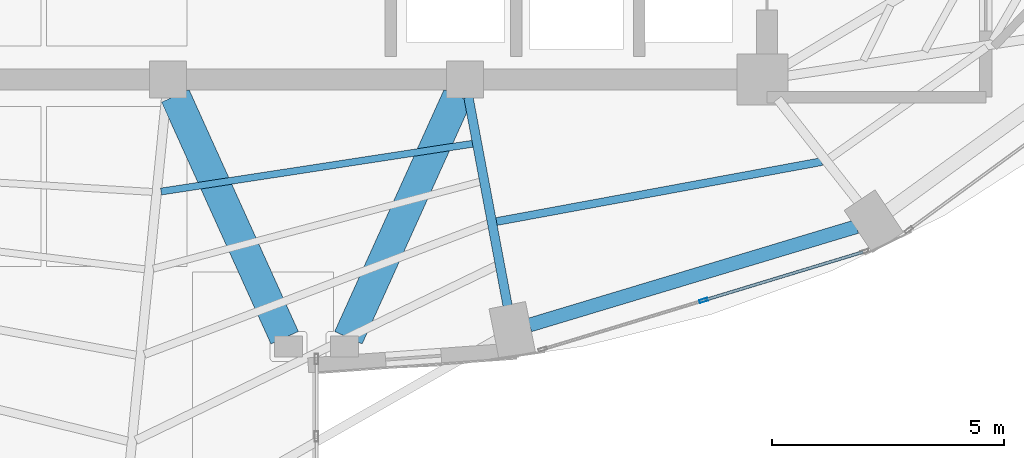
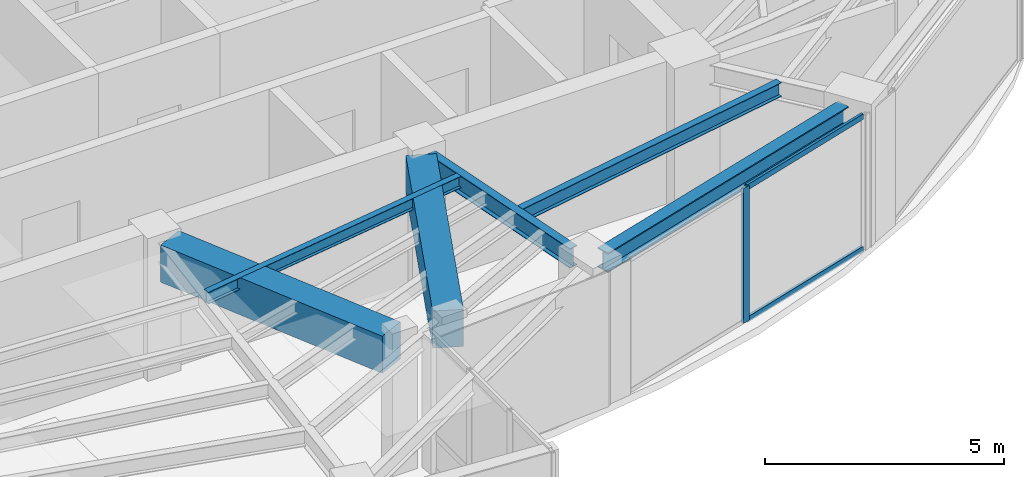
# One storey, part 7 of 22: 6 beams, 3 members, 1 element without a shape of its own.
"""IFC4 building model written with IfcOpenShell, lengths in metres."""

from ifc_helpers import new_model, si_unit, direction, frame, origin, origin_2d, place, context, subcontext, project, spatial, rectangle, hollow_rectangle, i_section, extrude, material, layer, layer_set, material_profile, profile_set, type_object, element, aggregate, save


model = new_model("IFC4")

# Units and contexts
model_context = context("Model", 3, precision=1e-05, world=origin(), true_north=direction((0.0, 1.0)))
body_context = subcontext(model_context, "Body", "Model", "MODEL_VIEW")
ifc_project = project(units=[si_unit("LENGTHUNIT", "METRE"), si_unit("AREAUNIT", "SQUARE_METRE"), si_unit("VOLUMEUNIT", "CUBIC_METRE"), si_unit("PLANEANGLEUNIT", "RADIAN"), si_unit("MASSUNIT", "GRAM", prefix="KILO")], contexts=[model_context])

# Site, building, storey
site_placement = place(None, origin())
site = spatial("IfcSite", under=ifc_project, at=site_placement, CompositionType="ELEMENT")
building_placement = place(site_placement, origin())
building = spatial("IfcBuilding", under=site, at=building_placement, Name="Lazwardi Medical Tower", CompositionType="ELEMENT")
storey_placement = place(building_placement, frame((0.0, 0.0, 251.3759765625)))
storey = spatial("IfcBuildingStorey", under=building, at=storey_placement, Name="L65", CompositionType="ELEMENT", Elevation=251.3759765625)

# Beams
ifc_material_1 = material(Name="Concrete C60/75", Category="concrete")
ifc_material_profile_1 = material_profile(ifc_material_1, rectangle(XDim=0.64990234375, YDim=0.949951171875, at=origin_2d()), Name="RC 650x950")
ifc_profile_set_1 = profile_set([ifc_material_profile_1], Name="Concrete C60/75")
beam_type_1 = type_object("IfcBeamType", Name="BM-CB-RC2", PredefinedType="LINTEL", material=ifc_profile_set_1)
for number, where, z_axis, x_axis, name in (
    (1, (32.95849609375, 20.04931640625, 2.97314453125), (0.412019279944, -0.911175127489, 0.0), (0.911175127489, 0.412019279944, 0.0), "Core coupling lintel CB-02 PL3 L65"),
    (2, (39.04150390625, 20.04931640625, 2.97314453125), (-0.412019279944, -0.911175127489, 0.0), (0.911175127489, -0.412019279944, 0.0), "Core coupling lintel CB-02 PL4 L65"),
):
    element("IfcBeam", number, at=place(storey_placement, frame(where, z_axis=z_axis, x_axis=x_axis)), inside=storey, type_object=beam_type_1, Name=name, PredefinedType="LINTEL", context=body_context, shape_type="SweptSolid", body=[
        extrude(rectangle(XDim=0.64990234375, YDim=0.949951171875, at=origin_2d()), origin(), (0.0, 0.0, 1.0), 5.7158203125),
    ])
ifc_material_2 = material(Name="Steel S355", Category="steel")
ifc_material_profile_2 = material_profile(ifc_material_2, i_section(OverallWidth=0.300048828125, OverallDepth=0.5, WebThickness=0.014404296875, FlangeThickness=0.028076171875, at=origin_2d()), Name="HEB 500")
ifc_profile_set_2 = profile_set([ifc_material_profile_2], Name="Steel S355")
beam_type_2 = type_object("IfcBeamType", Name="BM-RB-Z4", PredefinedType="BEAM", material=ifc_profile_set_2)
beam_1_placement = place(storey_placement, frame((40.58740234375, 15.114013671875, 3.197998046875), z_axis=(0.957544311906, 0.288286126506, 0.0), x_axis=(-0.288286126506, 0.957544311906, 0.0)))
element("IfcBeam", 3, at=beam_1_placement, inside=storey, type_object=beam_type_2, Name="Ring beam RB-05 B01 L65", PredefinedType="BEAM", context=body_context, shape_type="SweptSolid", body=[
    extrude(i_section(OverallWidth=0.300048828125, OverallDepth=0.5, WebThickness=0.014404296875, FlangeThickness=0.028076171875, at=origin_2d()), origin(), (0.0, 0.0, 1.0), 7.3515625),
])
ifc_material_profile_3 = material_profile(ifc_material_2, i_section(OverallWidth=0.199951171875, OverallDepth=0.5, WebThickness=0.01025390625, FlangeThickness=0.01611328125, at=origin_2d()), Name="IPE 500")
ifc_profile_set_3 = profile_set([ifc_material_profile_3], Name="Steel S355")
beam_type_3 = type_object("IfcBeamType", Name="BM-RG-W3", PredefinedType="BEAM", material=ifc_profile_set_3)
beam_2_placement = place(storey_placement, frame((40.115234375, 15.527587890625, 3.197998046875), z_axis=(-0.184633463507, 0.982807450192, 0.0), x_axis=(-0.982807450192, -0.184633463507, 0.0)))
element("IfcBeam", 4, at=beam_2_placement, inside=storey, type_object=beam_type_3, Name="Radial girder RG-04 R01 L65", PredefinedType="BEAM", context=body_context, shape_type="SweptSolid", body=[
    extrude(i_section(OverallWidth=0.199951171875, OverallDepth=0.5, WebThickness=0.01025390625, FlangeThickness=0.01611328125, at=origin_2d()), origin(), (0.0, 0.0, 1.0), 4.572509765625),
])
ifc_material_profile_4 = material_profile(ifc_material_2, i_section(OverallWidth=0.169921875, OverallDepth=0.360107421875, WebThickness=0.008056640625, FlangeThickness=0.0126953125, at=origin_2d()), Name="IPE 360")
ifc_profile_set_4 = profile_set([ifc_material_profile_4], Name="Steel S355")
beam_type_4 = type_object("IfcBeamType", Name="BM-SJ-02", PredefinedType="JOIST", material=ifc_profile_set_4)
beam_3_placement = place(storey_placement, frame((39.87109375, 17.34228515625, 3.26806640625), z_axis=(0.983427965623, 0.181299300688, 0.0), x_axis=(-0.181299300688, 0.983427965623, 0.0)))
element("IfcBeam", 5, at=beam_3_placement, inside=storey, type_object=beam_type_4, Name="Secondary joist SJ-02 R2 B01 L65", PredefinedType="JOIST", context=body_context, shape_type="SweptSolid", body=[
    extrude(i_section(OverallWidth=0.169921875, OverallDepth=0.360107421875, WebThickness=0.008056640625, FlangeThickness=0.0126953125, at=origin_2d()), origin(), (0.0, 0.0, 1.0), 7.127685546875),
])
ifc_material_profile_5 = material_profile(ifc_material_2, i_section(OverallWidth=0.14990234375, OverallDepth=0.300048828125, WebThickness=0.007080078125, FlangeThickness=0.0107421875, at=origin_2d()), Name="IPE 300")
ifc_profile_set_5 = profile_set([ifc_material_profile_5], Name="Steel S355")
beam_type_5 = type_object("IfcBeamType", Name="BM-SJ-03", PredefinedType="JOIST", material=ifc_profile_set_5)
beam_4_placement = place(storey_placement, frame((32.652587890625, 17.989013671875, 3.298095703125), z_axis=(0.988433562862, 0.151654514629, 0.0), x_axis=(-0.151654514629, 0.988433562862, 0.0)))
element("IfcBeam", 6, at=beam_4_placement, inside=storey, type_object=beam_type_5, Name="Secondary joist SJ-03 R4 B16 L65", PredefinedType="JOIST", context=body_context, shape_type="SweptSolid", body=[
    extrude(i_section(OverallWidth=0.14990234375, OverallDepth=0.300048828125, WebThickness=0.007080078125, FlangeThickness=0.0107421875, at=origin_2d()), origin(), (0.0, 0.0, 1.0), 6.788818359375),
])

# Curtain wall, members
ifc_material_3 = material(Name="Anodised bronze aluminium and solar control glazing", Category="aluminium")
ifc_layer = layer(ifc_material_3, 0.18994140625)
ifc_layer_set = layer_set([ifc_layer], Name="Anodised bronze aluminium and solar control glazing")
curtain_wall_type = type_object("IfcCurtainWallType", Name="CW-SYS-04", PredefinedType="NOTDEFINED", material=ifc_layer_set)
curtain_wall_placement = place(storey_placement, origin())
curtain_wall = element("IfcCurtainWall", 7, at=curtain_wall_placement, inside=storey, type_object=curtain_wall_type, Name="L65 Unitised bronze curtain wall CW-04", PredefinedType="NOTDEFINED")
ifc_material_4 = material(Name="Anodised bronze aluminium", Category="aluminium")
ifc_material_profile_6 = material_profile(ifc_material_4, hollow_rectangle(XDim=0.06494140625, YDim=0.179931640625, WallThickness=0.00390625, at=origin_2d()), Name="ALU-MULLION 180x65x4")
ifc_profile_set_6 = profile_set([ifc_material_profile_6], Name="Anodised bronze aluminium")
member_type_1 = type_object("IfcMemberType", Name="CW-MUL-03", PredefinedType="MULLION", material=ifc_profile_set_6)
member_1_placement = place(storey_placement, frame((44.33642578125, 15.644775390625, 0.0), z_axis=(0.0, 0.0, 1.0), x_axis=(-0.290581889515, 0.956850126972, 0.0)))
member_1 = element("IfcMember", 8, at=member_1_placement, type_object=member_type_1, Name="CW-04 mullion 2", PredefinedType="MULLION", context=body_context, shape_type="SweptSolid", body=[
    extrude(hollow_rectangle(XDim=0.06494140625, YDim=0.179931640625, WallThickness=0.00390625, at=origin_2d()), origin(), (0.0, 0.0, 1.0), 3.447998046875),
])
ifc_material_profile_7 = material_profile(ifc_material_4, hollow_rectangle(XDim=0.06494140625, YDim=0.139892578125, WallThickness=0.00341796875, at=origin_2d()), Name="ALU-TRANSOM 140x65x3.5")
ifc_profile_set_7 = profile_set([ifc_material_profile_7], Name="Anodised bronze aluminium")
member_type_2 = type_object("IfcMemberType", Name="CW-TRN-03", PredefinedType="USERDEFINED", material=ifc_profile_set_7)
member_2_placement = place(storey_placement, frame((44.367431640625, 15.654052734375, 0.032470703125), z_axis=(0.956843409009, 0.290604010015, 0.0), x_axis=(-0.290604010015, 0.956843409009, 0.0)))
member_2 = element("IfcMember", 9, at=member_2_placement, type_object=member_type_2, Name="CW-04 transom 2.1", ObjectType="TRANSOM", PredefinedType="USERDEFINED", context=body_context, shape_type="SweptSolid", body=[
    extrude(hollow_rectangle(XDim=0.06494140625, YDim=0.139892578125, WallThickness=0.00341796875, at=origin_2d()), origin(), (0.0, 0.0, 1.0), 3.554443359375),
])
member_3_placement = place(storey_placement, frame((44.367431640625, 15.654052734375, 3.41552734375), z_axis=(0.956843409009, 0.290604010015, 0.0), x_axis=(-0.290604010015, 0.956843409009, 0.0)))
member_3 = element("IfcMember", 10, at=member_3_placement, type_object=member_type_2, Name="CW-04 transom 2.2", ObjectType="TRANSOM", PredefinedType="USERDEFINED", context=body_context, shape_type="SweptSolid", body=[
    extrude(hollow_rectangle(XDim=0.06494140625, YDim=0.139892578125, WallThickness=0.00341796875, at=origin_2d()), origin(), (0.0, 0.0, 1.0), 3.554443359375),
])
aggregate(curtain_wall, [member_1, member_2, member_3])

save(model, "model.ifc")
